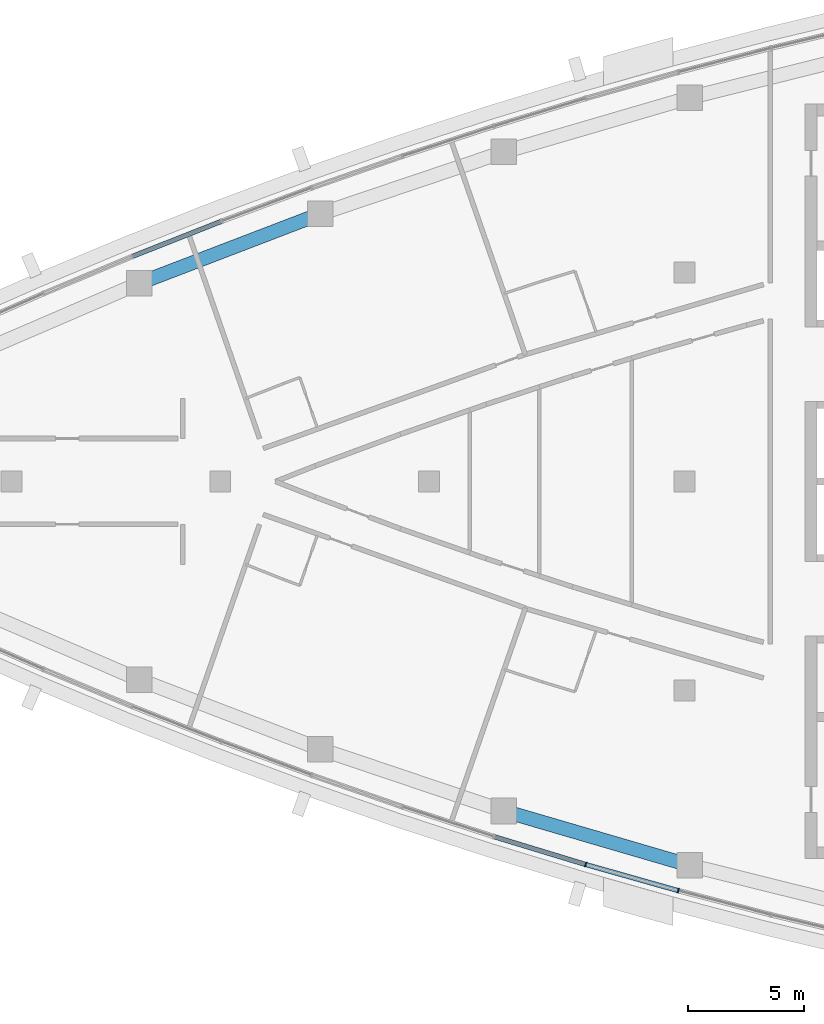
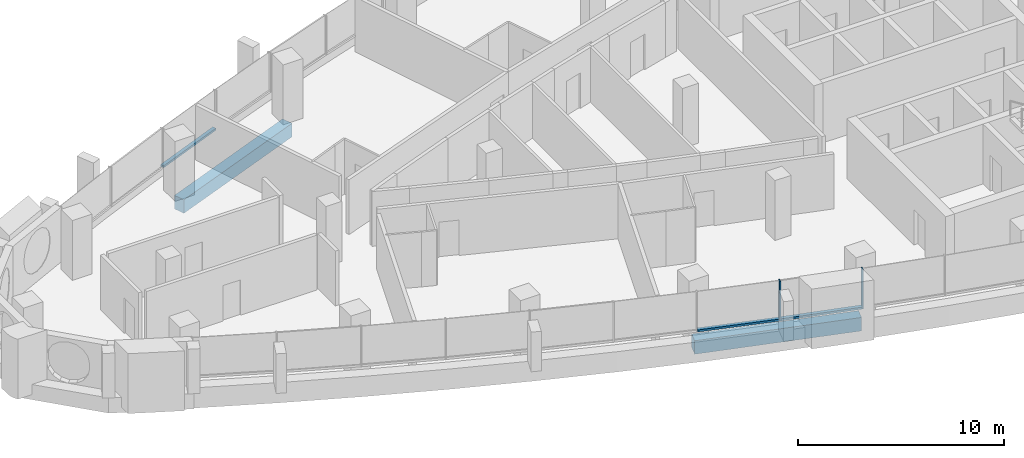
# One storey, part 3 of 13: 5 members, 2 beams, 2 elements without a shape of their own.
"""IFC4 building model written with IfcOpenShell, lengths in metres."""

from ifc_helpers import new_model, si_unit, direction, frame, origin, origin_2d, place, context, subcontext, project, spatial, rectangle, extrude, material, layer, layer_set, material_profile, profile_set, type_object, element, aggregate, save


model = new_model("IFC4")

# Units and contexts
model_context = context("Model", 3, precision=1e-05, world=origin(), true_north=direction((0.0, 1.0)))
body_context = subcontext(model_context, "Body", "Model", "MODEL_VIEW")
ifc_project = project(units=[si_unit("LENGTHUNIT", "METRE"), si_unit("AREAUNIT", "SQUARE_METRE"), si_unit("VOLUMEUNIT", "CUBIC_METRE"), si_unit("PLANEANGLEUNIT", "RADIAN"), si_unit("MASSUNIT", "GRAM", prefix="KILO")], contexts=[model_context])

# Site, building, storey
site_placement = place(None, origin())
site = spatial("IfcSite", under=ifc_project, at=site_placement, CompositionType="ELEMENT")
building_placement = place(site_placement, origin())
building = spatial("IfcBuilding", under=site, at=building_placement, Name="Ostrand Prow Hotel Tower", CompositionType="ELEMENT")
storey_placement = place(building_placement, frame((0.0, 0.0, 282.10009765625)))
storey = spatial("IfcBuildingStorey", under=building, at=storey_placement, Name="L71", CompositionType="ELEMENT", Elevation=282.10009765625)

# Beams
ifc_material_1 = material(Name="Concrete C50/60", Category="concrete")
ifc_material_profile_1 = material_profile(ifc_material_1, rectangle(XDim=0.60009765625, YDim=0.800048828125, at=origin_2d()), Name="RC 600x800")
ifc_profile_set_1 = profile_set([ifc_material_profile_1], Name="Concrete C50/60")
beam_type = type_object("IfcBeamType", Name="Edge beam 600x800 C50/60", PredefinedType="SPANDREL", material=ifc_profile_set_1)
for number, where, z_axis, x_axis, name in (
    (1, (37.22119140625, -14.19580078125, -0.7001953125), (0.959821966031, -0.280609681809, 0.0), (0.280609681809, 0.959821966031, 0.0), "Edge beam S4-S5"),
    (2, (29.31005859375, 11.528076171875, -0.7001953125), (-0.933761753797, -0.357895218111, 0.0), (0.357895218111, -0.933761753797, 0.0), "Edge beam N4-N5"),
):
    element("IfcBeam", number, at=place(storey_placement, frame(where, z_axis=z_axis, x_axis=x_axis)), inside=storey, type_object=beam_type, Name=name, PredefinedType="SPANDREL", context=body_context, shape_type="SweptSolid", body=[
        extrude(rectangle(XDim=0.60009765625, YDim=0.800048828125, at=origin_2d()), origin(), (0.0, 0.0, 1.0), 8.348876953125),
    ])

# Curtain wall, members
ifc_material_2 = material(Name="Insulated glass in bronze anodised frame", Category="glass")
ifc_layer = layer(ifc_material_2, 0.199951171875)
ifc_layer_set = layer_set([ifc_layer], Name="Insulated glass in bronze anodised frame")
curtain_wall_type = type_object("IfcCurtainWallType", Name="Strip curtain wall, fritted glass over bronze spandrel", PredefinedType="NOTDEFINED", material=ifc_layer_set)
curtain_wall_1_placement = place(storey_placement, origin())
curtain_wall_1 = element("IfcCurtainWall", 3, at=curtain_wall_1_placement, inside=storey, type_object=curtain_wall_type, Name="CW1 run CWS4", PredefinedType="NOTDEFINED")
ifc_material_3 = material(Name="Bronze anodised aluminium", Category="aluminium")
ifc_material_profile_2 = material_profile(ifc_material_3, rectangle(XDim=0.199951171875, YDim=0.06005859375, at=origin_2d()), Name="Mullion 60x200 bronze anodised aluminium")
ifc_profile_set_2 = profile_set([ifc_material_profile_2], Name="Bronze anodised aluminium")
member_type_1 = type_object("IfcMemberType", Name="Mullion 60x200 bronze anodised aluminium", PredefinedType="MULLION", material=ifc_profile_set_2)
member_1_placement = place(storey_placement, frame((40.744384765625, -16.502197265625, 0.89990234375), z_axis=(0.0, 0.0, 1.0), x_axis=(0.271648738865, 0.962396468548, 0.0)))
member_1 = element("IfcMember", 4, at=member_1_placement, type_object=member_type_1, Name="CW1 mullion 2", PredefinedType="MULLION", context=body_context, shape_type="SweptSolid", body=[
    extrude(rectangle(XDim=0.199951171875, YDim=0.06005859375, at=origin_2d()), origin(), (0.0, 0.0, 1.0), 2.35009765625),
])
member_2_placement = place(storey_placement, frame((44.728515625, -17.626708984375, 0.89990234375), z_axis=(0.0, 0.0, 1.0), x_axis=(0.271648738865, 0.962396468548, 0.0)))
member_2 = element("IfcMember", 5, at=member_2_placement, type_object=member_type_1, Name="CW1 mullion 3", PredefinedType="MULLION", context=body_context, shape_type="SweptSolid", body=[
    extrude(rectangle(XDim=0.199951171875, YDim=0.06005859375, at=origin_2d()), origin(), (0.0, 0.0, 1.0), 2.35009765625),
])
ifc_material_4 = material(Name="Bronze anodised aluminium", Category="aluminium")
ifc_material_profile_3 = material_profile(ifc_material_4, rectangle(XDim=0.199951171875, YDim=0.1201171875, at=origin_2d()), Name="Transom 120x200 bronze anodised aluminium")
ifc_profile_set_3 = profile_set([ifc_material_profile_3], Name="Bronze anodised aluminium")
member_type_2 = type_object("IfcMemberType", Name="Transom 120x200 bronze anodised aluminium", PredefinedType="USERDEFINED", material=ifc_profile_set_3)
member_3_placement = place(storey_placement, frame((36.8125, -15.306396484375, 0.9599609375), z_axis=(0.956739081124, -0.290947298751, 0.0), x_axis=(0.290947298751, 0.956739081124, 0.0)))
member_3 = element("IfcMember", 6, at=member_3_placement, type_object=member_type_2, Name="CW1 transom 1.1", ObjectType="TRANSOM", PredefinedType="USERDEFINED", context=body_context, shape_type="SweptSolid", body=[
    extrude(rectangle(XDim=0.199951171875, YDim=0.1201171875, at=origin_2d()), origin(), (0.0, 0.0, 1.0), 4.079833984375),
])
member_4_placement = place(storey_placement, frame((40.7734375, -16.51025390625, 0.9599609375), z_axis=(0.962386308628, -0.271684730828, 0.0), x_axis=(0.271684730828, 0.962386308628, 0.0)))
member_4 = element("IfcMember", 7, at=member_4_placement, type_object=member_type_2, Name="CW1 transom 2.1", ObjectType="TRANSOM", PredefinedType="USERDEFINED", context=body_context, shape_type="SweptSolid", body=[
    extrude(rectangle(XDim=0.199951171875, YDim=0.1201171875, at=origin_2d()), origin(), (0.0, 0.0, 1.0), 4.079833984375),
])
aggregate(curtain_wall_1, [member_1, member_2, member_3, member_4])

# Curtain wall, member
curtain_wall_2_placement = place(storey_placement, origin())
curtain_wall_2 = element("IfcCurtainWall", 8, at=curtain_wall_2_placement, inside=storey, type_object=curtain_wall_type, Name="CW1 run CWN4", PredefinedType="NOTDEFINED")
member_5_placement = place(storey_placement, frame((25.0302734375, 11.19921875, 0.9599609375), z_axis=(-0.930289613186, -0.366825892759, 0.0), x_axis=(0.366825892759, -0.930289613186, 0.0)))
member_5 = element("IfcMember", 9, at=member_5_placement, type_object=member_type_2, Name="CW1 transom 2.1", ObjectType="TRANSOM", PredefinedType="USERDEFINED", context=body_context, shape_type="SweptSolid", body=[
    extrude(rectangle(XDim=0.199951171875, YDim=0.1201171875, at=origin_2d()), origin(), (0.0, 0.0, 1.0), 4.079833984375),
])
aggregate(curtain_wall_2, [member_5])

save(model, "model.ifc")
